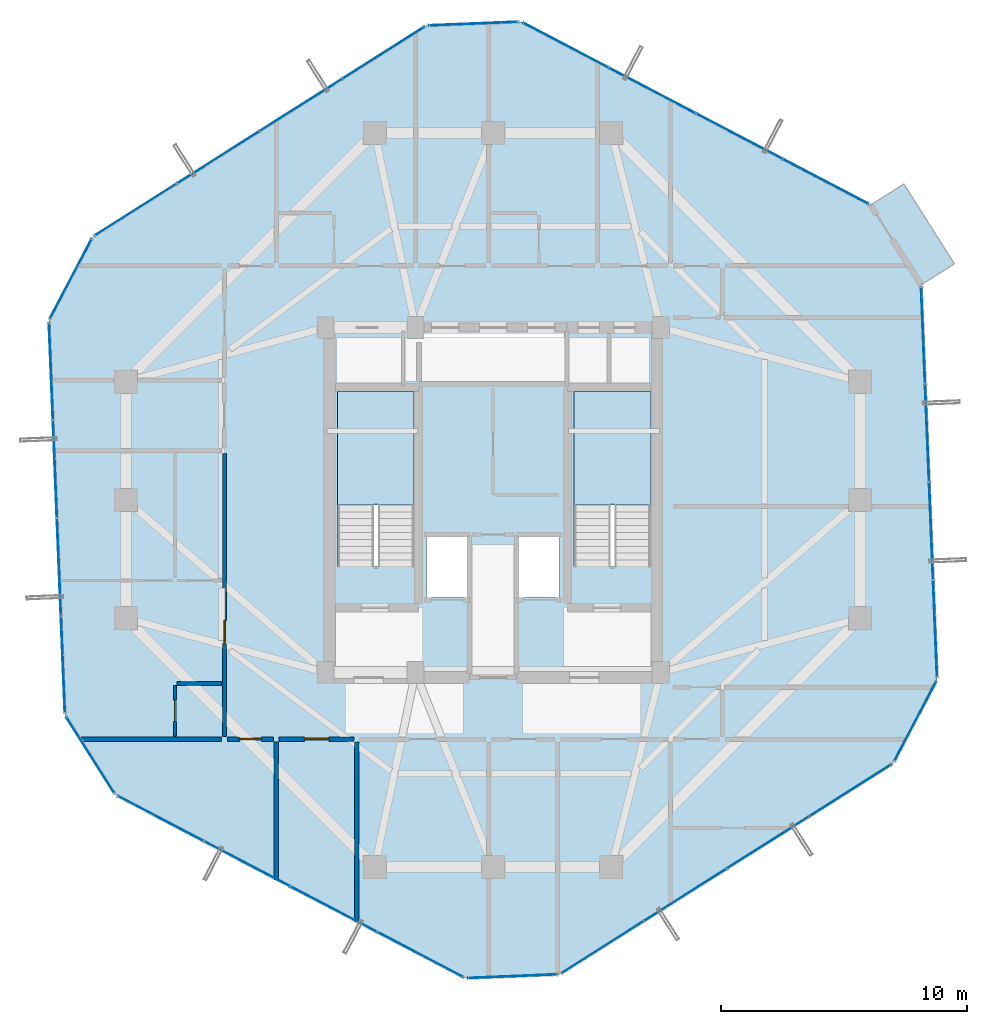
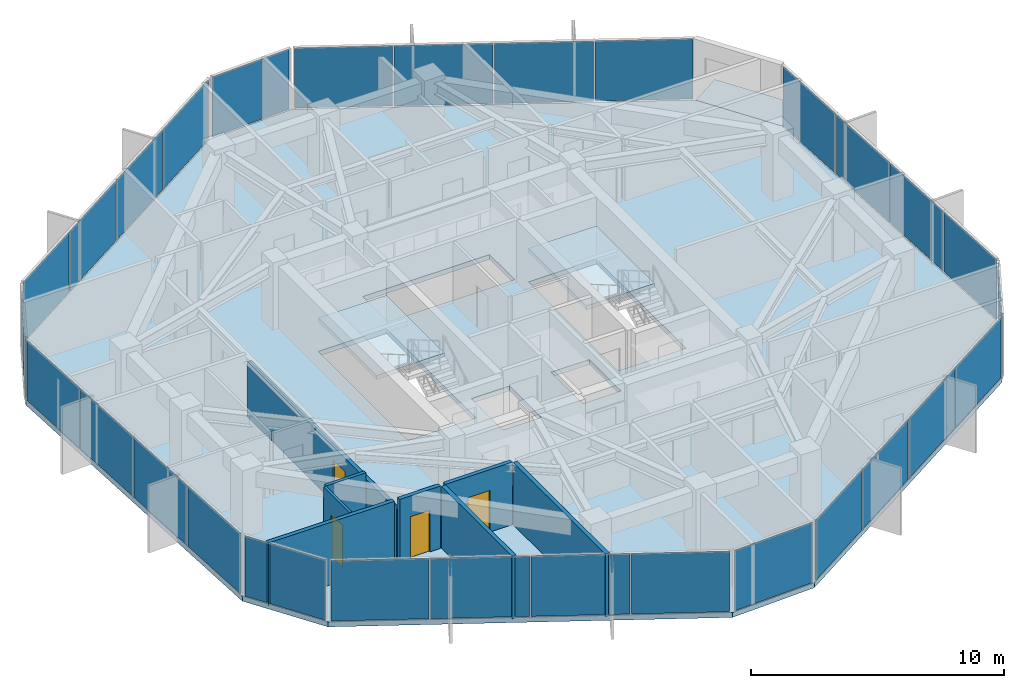
# One storey, part 28 of 33: 29 plates, 8 walls, 4 doors, 4 slabs, 4 openings, 13 elements without a shape of their own.
"""IFC4 building model written with IfcOpenShell, lengths in metres."""

from ifc_helpers import new_model, si_unit, direction, frame, frame_2d, origin, origin_2d, place, context, subcontext, project, spatial, polyline, rectangle, outline, extrude, source, transform, mapped, material, layer, layer_set, type_object, element, fill, aggregate, save


model = new_model("IFC4")

# Units and contexts
model_context = context("Model", 3, precision=1e-05, world=origin(), true_north=direction((0.0, 1.0)))
body_context = subcontext(model_context, "Body", "Model", "MODEL_VIEW")
ifc_project = project(units=[si_unit("LENGTHUNIT", "METRE"), si_unit("AREAUNIT", "SQUARE_METRE"), si_unit("VOLUMEUNIT", "CUBIC_METRE"), si_unit("PLANEANGLEUNIT", "RADIAN"), si_unit("MASSUNIT", "GRAM", prefix="KILO")], contexts=[model_context])

# Site, building, storey
site_placement = place(None, origin())
site = spatial("IfcSite", under=ifc_project, at=site_placement, CompositionType="ELEMENT")
building_placement = place(site_placement, origin())
building = spatial("IfcBuilding", under=site, at=building_placement, Name="Veraguas Prism Commons", CompositionType="ELEMENT")
storey_placement = place(building_placement, frame((0.0, 0.0, 198.35009765625)))
storey = spatial("IfcBuildingStorey", under=building, at=storey_placement, Name="L56", CompositionType="ELEMENT", Elevation=198.35009765625)

# Stair, slab
ifc_material_1 = material(Name="Precast concrete C45/55", Category="concrete")
stair_type = type_object("IfcStairType", Name="Dogleg Core Stair 1480W 20R 05", PredefinedType="HALF_TURN_STAIR", material=ifc_material_1)
stair_1_placement = place(storey_placement, origin())
stair_1 = element("IfcStair", 1, at=stair_1_placement, inside=storey, type_object=stair_type, Name="Protected Exit Stair ST-01 L56", PredefinedType="HALF_TURN_STAIR")
ifc_layer_1 = layer(ifc_material_1, 0.199951171875, Name="Precast Stair and Ramp Landing Slab 200", Category="concrete")
ifc_layer_set_1 = layer_set([ifc_layer_1], Name="Precast concrete C45/55")
slab_type_1 = type_object("IfcSlabType", Name="Precast Stair and Ramp Landing Slab 200", PredefinedType="LANDING", material=ifc_layer_set_1)
slab_1_placement = place(storey_placement, frame((0.0, 0.0, 1.4248046875)))
slab_1 = element("IfcSlab", 2, at=slab_1_placement, type_object=slab_type_1, Name="ST-05 Landing 1", PredefinedType="LANDING", context=body_context, shape_type="SweptSolid", body=[
    extrude(outline(polyline([(20.800048828125, 23.800048828125), (20.800048828125, 28.39990234375), (17.68994140625, 28.39990234375), (17.68994140625, 23.800048828125), (20.800048828125, 23.800048828125)])), origin(), (0.0, 0.0, 1.0), 0.2001953125),
])
aggregate(stair_1, [slab_1])

stair_2_placement = place(storey_placement, origin())
stair_2 = element("IfcStair", 3, at=stair_2_placement, inside=storey, type_object=stair_type, Name="Protected Exit Stair ST-02 L56", PredefinedType="HALF_TURN_STAIR")
slab_2_placement = place(storey_placement, frame((0.0, 0.0, 1.4248046875)))
slab_2 = element("IfcSlab", 4, at=slab_2_placement, type_object=slab_type_1, Name="ST-05 Landing 1", PredefinedType="LANDING", context=body_context, shape_type="SweptSolid", body=[
    extrude(outline(polyline([(30.39990234375, 23.800048828125), (30.39990234375, 28.39990234375), (27.2900390625, 28.39990234375), (27.2900390625, 23.800048828125), (30.39990234375, 23.800048828125)])), origin(), (0.0, 0.0, 1.0), 0.2001953125),
])
aggregate(stair_2, [slab_2])

# Slabs
ifc_material_2 = material(Name="Concrete C45/55", Category="concrete")
ifc_layer_2 = layer(ifc_material_2, 0.219970703125, Name="Recessed Loggia and Terrace Slab RC 220", Category="concrete")
ifc_layer_set_2 = layer_set([ifc_layer_2], Name="Concrete C45/55")
slab_type_2 = type_object("IfcSlabType", Name="Recessed Loggia and Terrace Slab RC 220", PredefinedType="FLOOR", material=ifc_layer_set_2)
slab_3_placement = place(storey_placement, frame((0.0, 0.0, -0.22021484375)))
element("IfcSlab", 5, at=slab_3_placement, inside=storey, type_object=slab_type_2, Name="Recessed Corner Loggia L56-C1", PredefinedType="FLOOR", context=body_context, shape_type="SweptSolid", body=[
    extrude(outline(polyline([(41.3515625, 32.716796875), (42.72021484375, 33.58349609375), (40.6689453125, 36.8232421875), (39.30029296875, 35.95654296875), (41.3515625, 32.716796875)])), origin(), (0.0, 0.0, 1.0), 0.22021484375),
])
ifc_layer_3 = layer(ifc_material_2, 0.235107421875, Name="Tower Upper Residential Floor Slab RC 235", Category="concrete")
ifc_layer_set_3 = layer_set([ifc_layer_3], Name="Concrete C45/55")
slab_type_3 = type_object("IfcSlabType", Name="Tower Upper Residential Floor Slab RC 235", PredefinedType="FLOOR", material=ifc_layer_set_3)
slab_4_placement = place(storey_placement, frame((0.0, 0.0, -0.235107421875)))
element("IfcSlab", 6, at=slab_4_placement, inside=storey, type_object=slab_type_3, Name="Tower Floor Slab L56", PredefinedType="FLOOR", context=body_context, shape_type="SweptSolid", body=[
    extrude(outline(polyline([(41.368408203125, 32.7275390625), (39.317138671875, 35.96728515625), (25.125732421875, 43.4052734375), (21.294677734375, 43.248779296875), (7.757568359375, 34.677490234375), (5.9775390625, 31.281494140625), (6.631591796875, 15.2724609375), (8.682861328125, 12.03271484375), (22.874267578125, 4.5947265625), (26.705322265625, 4.751220703125), (40.242431640625, 13.322509765625), (42.0224609375, 16.718505859375), (41.368408203125, 32.7275390625)]), holes=[polyline([(20.800048828125, 21.31005859375), (20.800048828125, 28.39990234375), (17.68994140625, 28.39990234375), (17.68994140625, 21.31005859375), (20.800048828125, 21.31005859375)]), polyline([(30.39990234375, 21.31005859375), (30.39990234375, 28.39990234375), (27.2900390625, 28.39990234375), (27.2900390625, 21.31005859375), (30.39990234375, 21.31005859375)]), polyline([(21.10009765625, 28.800048828125), (26.89990234375, 28.800048828125), (26.89990234375, 30.800048828125), (21.10009765625, 30.800048828125), (21.10009765625, 28.800048828125)]), polyline([(21.300048828125, 20.050048828125), (23.050048828125, 20.050048828125), (23.050048828125, 22.550048828125), (21.300048828125, 22.550048828125), (21.300048828125, 20.050048828125)]), polyline([(24.949951171875, 20.050048828125), (26.699951171875, 20.050048828125), (26.699951171875, 22.550048828125), (24.949951171875, 22.550048828125), (24.949951171875, 20.050048828125)])]), origin(), (0.0, 0.0, 1.0), 0.235107421875),
])

# Curtain wall, plates
ifc_material_3 = material(Name="Anodised aluminium EN AW-6063 T6", Category="aluminium")
ifc_layer_4 = layer(ifc_material_3, 0.14990234375, Name="Unitised Flush Curtain Wall Zone 3", Category="aluminium")
ifc_layer_set_4 = layer_set([ifc_layer_4], Name="Anodised aluminium EN AW-6063 T6")
curtain_wall_type = type_object("IfcCurtainWallType", Name="Unitised Flush Curtain Wall Zone 3", PredefinedType="NOTDEFINED", material=ifc_layer_set_4)
curtain_wall_1_placement = place(storey_placement, origin())
curtain_wall_1 = element("IfcCurtainWall", 7, at=curtain_wall_1_placement, inside=storey, type_object=curtain_wall_type, Name="Tower Facade Curtain Wall L56-F2", PredefinedType="NOTDEFINED")
ifc_material_4 = material(Name="Laminated low-e glass", Category="glass")
ifc_layer_5 = layer(ifc_material_4, 0.028076171875, Name="Unitised Double Low-E Glazed Panel 28", Category="glass")
ifc_layer_set_5 = layer_set([ifc_layer_5], Name="Laminated low-e glass")
plate_type = type_object("IfcPlateType", Name="Unitised Double Low-E Glazed Panel 28", PredefinedType="CURTAIN_PANEL", material=ifc_layer_set_5)
shared_shape_1 = source(origin(), body_context, "Body", "SweptSolid", [
    extrude(rectangle(XDim=3.885498046875, YDim=0.028076171875, at=origin_2d()), origin(), (0.0, 0.0, 1.0), 2.905029296875),
])
plate_1_placement = place(storey_placement, frame((19.5517578125, 42.145263671875, 0.0546875), z_axis=(0.0, 0.0, 1.0), x_axis=(-0.844886711646, -0.534945272419, 0.0)))
plate_1 = element("IfcPlate", 8, at=plate_1_placement, type_object=plate_type, Name="CW-Z3 Panel 1.1", PredefinedType="CURTAIN_PANEL", context=body_context, shape_type="MappedRepresentation", body=[
    mapped(shared_shape_1, transform((0.0, 0.0, 0.0), scale=1.0)),
])
plate_2_placement = place(storey_placement, frame((9.500244140625, 35.781005859375, 0.0546875), z_axis=(0.0, 0.0, 1.0), x_axis=(-0.844886711646, -0.534945272419, 0.0)))
plate_2 = element("IfcPlate", 9, at=plate_2_placement, type_object=plate_type, Name="CW-Z3 Panel 4.1", PredefinedType="CURTAIN_PANEL", context=body_context, shape_type="MappedRepresentation", body=[
    mapped(shared_shape_1, transform((0.0, 0.0, 0.0), scale=1.0)),
])

curtain_wall_2_placement = place(storey_placement, origin())
curtain_wall_2 = element("IfcCurtainWall", 10, at=curtain_wall_2_placement, inside=storey, type_object=curtain_wall_type, Name="Tower Facade Curtain Wall L56-F3", PredefinedType="NOTDEFINED")
plate_3_placement = place(storey_placement, frame((6.061767578125, 29.220458984375, 0.0546875), z_axis=(0.0, 0.0, 1.0), x_axis=(0.040829351979, -0.999166134343, 0.0)))
plate_3 = element("IfcPlate", 11, at=plate_3_placement, type_object=plate_type, Name="CW-Z3 Panel 1.1", PredefinedType="CURTAIN_PANEL", context=body_context, shape_type="MappedRepresentation", body=[
    mapped(shared_shape_1, transform((0.0, 0.0, 0.0), scale=1.0)),
])
plate_4_placement = place(storey_placement, frame((6.54736328125, 17.33349609375, 0.0546875), z_axis=(0.0, 0.0, 1.0), x_axis=(0.040829351979, -0.999166134343, 0.0)))
plate_4 = element("IfcPlate", 12, at=plate_4_placement, type_object=plate_type, Name="CW-Z3 Panel 4.1", PredefinedType="CURTAIN_PANEL", context=body_context, shape_type="MappedRepresentation", body=[
    mapped(shared_shape_1, transform((0.0, 0.0, 0.0), scale=1.0)),
])

curtain_wall_3_placement = place(storey_placement, origin())
curtain_wall_3 = element("IfcCurtainWall", 13, at=curtain_wall_3_placement, inside=storey, type_object=curtain_wall_type, Name="Tower Facade Curtain Wall L56-F5", PredefinedType="NOTDEFINED")
plate_5_placement = place(storey_placement, frame((28.4482421875, 5.854736328125, 0.0546875), z_axis=(0.0, 0.0, 1.0), x_axis=(0.844886711646, 0.534945272419, 0.0)))
plate_5 = element("IfcPlate", 14, at=plate_5_placement, type_object=plate_type, Name="CW-Z3 Panel 1.1", PredefinedType="CURTAIN_PANEL", context=body_context, shape_type="MappedRepresentation", body=[
    mapped(shared_shape_1, transform((0.0, 0.0, 0.0), scale=1.0)),
])
plate_6_placement = place(storey_placement, frame((38.499755859375, 12.218994140625, 0.0546875), z_axis=(0.0, 0.0, 1.0), x_axis=(0.844886711646, 0.534945272419, 0.0)))
plate_6 = element("IfcPlate", 15, at=plate_6_placement, type_object=plate_type, Name="CW-Z3 Panel 4.1", PredefinedType="CURTAIN_PANEL", context=body_context, shape_type="MappedRepresentation", body=[
    mapped(shared_shape_1, transform((0.0, 0.0, 0.0), scale=1.0)),
])

curtain_wall_4_placement = place(storey_placement, origin())
curtain_wall_4 = element("IfcCurtainWall", 16, at=curtain_wall_4_placement, inside=storey, type_object=curtain_wall_type, Name="Tower Facade Curtain Wall L56-F6", PredefinedType="NOTDEFINED")
plate_7_placement = place(storey_placement, frame((41.938232421875, 18.779541015625, 0.0546875), z_axis=(0.0, 0.0, 1.0), x_axis=(-0.040829351979, 0.999166134343, 0.0)))
plate_7 = element("IfcPlate", 17, at=plate_7_placement, type_object=plate_type, Name="CW-Z3 Panel 1.1", PredefinedType="CURTAIN_PANEL", context=body_context, shape_type="MappedRepresentation", body=[
    mapped(shared_shape_1, transform((0.0, 0.0, 0.0), scale=1.0)),
])
plate_8_placement = place(storey_placement, frame((41.45263671875, 30.66650390625, 0.0546875), z_axis=(0.0, 0.0, 1.0), x_axis=(-0.040829351979, 0.999166134343, 0.0)))
plate_8 = element("IfcPlate", 18, at=plate_8_placement, type_object=plate_type, Name="CW-Z3 Panel 4.1", PredefinedType="CURTAIN_PANEL", context=body_context, shape_type="MappedRepresentation", body=[
    mapped(shared_shape_1, transform((0.0, 0.0, 0.0), scale=1.0)),
])

curtain_wall_5_placement = place(storey_placement, origin())
curtain_wall_5 = element("IfcCurtainWall", 19, at=curtain_wall_5_placement, inside=storey, type_object=curtain_wall_type, Name="Tower Facade Curtain Wall L56-F1", PredefinedType="NOTDEFINED")
shared_shape_2 = source(origin(), body_context, "Body", "SweptSolid", [
    extrude(rectangle(XDim=3.91552734375, YDim=0.028076171875, at=origin_2d()), origin(), (0.0, 0.0, 1.0), 2.905029296875),
])
plate_9_placement = place(storey_placement, frame((33.982177734375, 38.763427734375, 0.0546875), z_axis=(0.0, 0.0, 1.0), x_axis=(-0.885721982014, 0.464216081773, 0.0)))
plate_9 = element("IfcPlate", 20, at=plate_9_placement, type_object=plate_type, Name="CW-Z3 Panel 2.1", PredefinedType="CURTAIN_PANEL", context=body_context, shape_type="MappedRepresentation", body=[
    mapped(shared_shape_2, transform((0.0, 0.0, 0.0), scale=1.0)),
])
plate_10_placement = place(storey_placement, frame((30.4609375, 40.609130859375, 0.0546875), z_axis=(0.0, 0.0, 1.0), x_axis=(-0.885721982014, 0.464216081773, 0.0)))
plate_10 = element("IfcPlate", 21, at=plate_10_placement, type_object=plate_type, Name="CW-Z3 Panel 3.1", PredefinedType="CURTAIN_PANEL", context=body_context, shape_type="MappedRepresentation", body=[
    mapped(shared_shape_2, transform((0.0, 0.0, 0.0), scale=1.0)),
])

# Plate
plate_11_placement = place(storey_placement, frame((16.20556640625, 40.026611328125, 0.0546875), z_axis=(0.0, 0.0, 1.0), x_axis=(-0.844886711646, -0.534945272419, 0.0)))
plate_11 = element("IfcPlate", 22, at=plate_11_placement, type_object=plate_type, Name="CW-Z3 Panel 2.1", PredefinedType="CURTAIN_PANEL", context=body_context, shape_type="MappedRepresentation", body=[
    mapped(shared_shape_2, transform((0.0, 0.0, 0.0), scale=1.0)),
])

plate_12_placement = place(storey_placement, frame((12.8466796875, 37.89990234375, 0.0546875), z_axis=(0.0, 0.0, 1.0), x_axis=(-0.844886711646, -0.534945272419, 0.0)))
plate_12 = element("IfcPlate", 23, at=plate_12_placement, type_object=plate_type, Name="CW-Z3 Panel 3.1", PredefinedType="CURTAIN_PANEL", context=body_context, shape_type="MappedRepresentation", body=[
    mapped(shared_shape_2, transform((0.0, 0.0, 0.0), scale=1.0)),
])

aggregate(curtain_wall_1, [plate_1, plate_11, plate_12, plate_2])

plate_13_placement = place(storey_placement, frame((6.223388671875, 25.262939453125, 0.0546875), z_axis=(0.0, 0.0, 1.0), x_axis=(0.040829351979, -0.999166134343, 0.0)))
plate_13 = element("IfcPlate", 24, at=plate_13_placement, type_object=plate_type, Name="CW-Z3 Panel 2.1", PredefinedType="CURTAIN_PANEL", context=body_context, shape_type="MappedRepresentation", body=[
    mapped(shared_shape_2, transform((0.0, 0.0, 0.0), scale=1.0)),
])

plate_14_placement = place(storey_placement, frame((6.3857421875, 21.290771484375, 0.0546875), z_axis=(0.0, 0.0, 1.0), x_axis=(0.040829351979, -0.999166134343, 0.0)))
plate_14 = element("IfcPlate", 25, at=plate_14_placement, type_object=plate_type, Name="CW-Z3 Panel 3.1", PredefinedType="CURTAIN_PANEL", context=body_context, shape_type="MappedRepresentation", body=[
    mapped(shared_shape_2, transform((0.0, 0.0, 0.0), scale=1.0)),
])

aggregate(curtain_wall_2, [plate_3, plate_13, plate_14, plate_4])

# Curtain wall, plates
curtain_wall_6_placement = place(storey_placement, origin())
curtain_wall_6 = element("IfcCurtainWall", 26, at=curtain_wall_6_placement, inside=storey, type_object=curtain_wall_type, Name="Tower Facade Curtain Wall L56-F4", PredefinedType="NOTDEFINED")
plate_15_placement = place(storey_placement, frame((14.017822265625, 9.236572265625, 0.0546875), z_axis=(0.0, 0.0, 1.0), x_axis=(0.885721982014, -0.464216081773, 0.0)))
plate_15 = element("IfcPlate", 27, at=plate_15_placement, type_object=plate_type, Name="CW-Z3 Panel 2.1", PredefinedType="CURTAIN_PANEL", context=body_context, shape_type="MappedRepresentation", body=[
    mapped(shared_shape_2, transform((0.0, 0.0, 0.0), scale=1.0)),
])
plate_16_placement = place(storey_placement, frame((17.5390625, 7.390869140625, 0.0546875), z_axis=(0.0, 0.0, 1.0), x_axis=(0.885721982014, -0.464216081773, 0.0)))
plate_16 = element("IfcPlate", 28, at=plate_16_placement, type_object=plate_type, Name="CW-Z3 Panel 3.1", PredefinedType="CURTAIN_PANEL", context=body_context, shape_type="MappedRepresentation", body=[
    mapped(shared_shape_2, transform((0.0, 0.0, 0.0), scale=1.0)),
])

# Plate
plate_17_placement = place(storey_placement, frame((31.79443359375, 7.973388671875, 0.0546875), z_axis=(0.0, 0.0, 1.0), x_axis=(0.844886711646, 0.534945272419, 0.0)))
plate_17 = element("IfcPlate", 29, at=plate_17_placement, type_object=plate_type, Name="CW-Z3 Panel 2.1", PredefinedType="CURTAIN_PANEL", context=body_context, shape_type="MappedRepresentation", body=[
    mapped(shared_shape_2, transform((0.0, 0.0, 0.0), scale=1.0)),
])

plate_18_placement = place(storey_placement, frame((35.1533203125, 10.10009765625, 0.0546875), z_axis=(0.0, 0.0, 1.0), x_axis=(0.844886711646, 0.534945272419, 0.0)))
plate_18 = element("IfcPlate", 30, at=plate_18_placement, type_object=plate_type, Name="CW-Z3 Panel 3.1", PredefinedType="CURTAIN_PANEL", context=body_context, shape_type="MappedRepresentation", body=[
    mapped(shared_shape_2, transform((0.0, 0.0, 0.0), scale=1.0)),
])

aggregate(curtain_wall_3, [plate_5, plate_17, plate_18, plate_6])

plate_19_placement = place(storey_placement, frame((41.776611328125, 22.737060546875, 0.0546875), z_axis=(0.0, 0.0, 1.0), x_axis=(-0.040829351979, 0.999166134343, 0.0)))
plate_19 = element("IfcPlate", 31, at=plate_19_placement, type_object=plate_type, Name="CW-Z3 Panel 2.1", PredefinedType="CURTAIN_PANEL", context=body_context, shape_type="MappedRepresentation", body=[
    mapped(shared_shape_2, transform((0.0, 0.0, 0.0), scale=1.0)),
])

plate_20_placement = place(storey_placement, frame((41.6142578125, 26.709228515625, 0.0546875), z_axis=(0.0, 0.0, 1.0), x_axis=(-0.040829351979, 0.999166134343, 0.0)))
plate_20 = element("IfcPlate", 32, at=plate_20_placement, type_object=plate_type, Name="CW-Z3 Panel 3.1", PredefinedType="CURTAIN_PANEL", context=body_context, shape_type="MappedRepresentation", body=[
    mapped(shared_shape_2, transform((0.0, 0.0, 0.0), scale=1.0)),
])

aggregate(curtain_wall_4, [plate_7, plate_19, plate_20, plate_8])

shared_shape_3 = source(origin(), body_context, "Body", "SweptSolid", [
    extrude(rectangle(XDim=3.8857421875, YDim=0.028076171875, at=origin_2d()), origin(), (0.0, 0.0, 1.0), 2.905029296875),
])
plate_21_placement = place(storey_placement, frame((37.490234375, 36.925048828125, 0.0546875), z_axis=(0.0, 0.0, 1.0), x_axis=(-0.885721982014, 0.464216081773, 0.0)))
plate_21 = element("IfcPlate", 33, at=plate_21_placement, type_object=plate_type, Name="CW-Z3 Panel 1.1", PredefinedType="CURTAIN_PANEL", context=body_context, shape_type="MappedRepresentation", body=[
    mapped(shared_shape_3, transform((0.0, 0.0, 0.0), scale=1.0)),
])

plate_22_placement = place(storey_placement, frame((26.952880859375, 42.44775390625, 0.0546875), z_axis=(0.0, 0.0, 1.0), x_axis=(-0.885721982014, 0.464216081773, 0.0)))
plate_22 = element("IfcPlate", 34, at=plate_22_placement, type_object=plate_type, Name="CW-Z3 Panel 4.1", PredefinedType="CURTAIN_PANEL", context=body_context, shape_type="MappedRepresentation", body=[
    mapped(shared_shape_3, transform((0.0, 0.0, 0.0), scale=1.0)),
])

aggregate(curtain_wall_5, [plate_21, plate_9, plate_10, plate_22])

plate_23_placement = place(storey_placement, frame((10.509765625, 11.074951171875, 0.0546875), z_axis=(0.0, 0.0, 1.0), x_axis=(0.885721982014, -0.464216081773, 0.0)))
plate_23 = element("IfcPlate", 35, at=plate_23_placement, type_object=plate_type, Name="CW-Z3 Panel 1.1", PredefinedType="CURTAIN_PANEL", context=body_context, shape_type="MappedRepresentation", body=[
    mapped(shared_shape_3, transform((0.0, 0.0, 0.0), scale=1.0)),
])

plate_24_placement = place(storey_placement, frame((21.047119140625, 5.55224609375, 0.0546875), z_axis=(0.0, 0.0, 1.0), x_axis=(0.885721982014, -0.464216081773, 0.0)))
plate_24 = element("IfcPlate", 36, at=plate_24_placement, type_object=plate_type, Name="CW-Z3 Panel 4.1", PredefinedType="CURTAIN_PANEL", context=body_context, shape_type="MappedRepresentation", body=[
    mapped(shared_shape_3, transform((0.0, 0.0, 0.0), scale=1.0)),
])

aggregate(curtain_wall_6, [plate_23, plate_15, plate_16, plate_24])

# Curtain wall, plate
curtain_wall_7_placement = place(storey_placement, origin())
curtain_wall_7 = element("IfcCurtainWall", 37, at=curtain_wall_7_placement, inside=storey, type_object=curtain_wall_type, Name="Chamfer Curtain Wall L56-C2", PredefinedType="NOTDEFINED")
shared_shape_4 = source(origin(), body_context, "Body", "SweptSolid", [
    extrude(rectangle(XDim=3.594482421875, YDim=0.028076171875, at=origin_2d()), origin(), (0.0, 0.0, 1.0), 2.905029296875),
])
plate_25_placement = place(storey_placement, frame((23.210205078125, 43.326904296875, 0.0546875), z_axis=(0.0, 0.0, 1.0), x_axis=(-0.999166775565, -0.040813657109, 0.0)))
plate_25 = element("IfcPlate", 38, at=plate_25_placement, type_object=plate_type, Name="CW-Z3 Panel 1.1", PredefinedType="CURTAIN_PANEL", context=body_context, shape_type="MappedRepresentation", body=[
    mapped(shared_shape_4, transform((0.0, 0.0, 0.0), scale=1.0)),
])
aggregate(curtain_wall_7, [plate_25])

curtain_wall_8_placement = place(storey_placement, origin())
curtain_wall_8 = element("IfcCurtainWall", 39, at=curtain_wall_8_placement, inside=storey, type_object=curtain_wall_type, Name="Chamfer Curtain Wall L56-C3", PredefinedType="NOTDEFINED")
plate_26_placement = place(storey_placement, frame((6.867431640625, 32.9794921875, 0.0546875), z_axis=(0.0, 0.0, 1.0), x_axis=(-0.464189801669, -0.885735755193, 0.0)))
plate_26 = element("IfcPlate", 40, at=plate_26_placement, type_object=plate_type, Name="CW-Z3 Panel 1.1", PredefinedType="CURTAIN_PANEL", context=body_context, shape_type="MappedRepresentation", body=[
    mapped(shared_shape_4, transform((0.0, 0.0, 0.0), scale=1.0)),
])
aggregate(curtain_wall_8, [plate_26])

curtain_wall_9_placement = place(storey_placement, origin())
curtain_wall_9 = element("IfcCurtainWall", 41, at=curtain_wall_9_placement, inside=storey, type_object=curtain_wall_type, Name="Chamfer Curtain Wall L56-C4", PredefinedType="NOTDEFINED")
plate_27_placement = place(storey_placement, frame((7.6572265625, 13.652587890625, 0.0546875), z_axis=(0.0, 0.0, 1.0), x_axis=(0.534939373984, -0.844890446248, 0.0)))
plate_27 = element("IfcPlate", 42, at=plate_27_placement, type_object=plate_type, Name="CW-Z3 Panel 1.1", PredefinedType="CURTAIN_PANEL", context=body_context, shape_type="MappedRepresentation", body=[
    mapped(shared_shape_4, transform((0.0, 0.0, 0.0), scale=1.0)),
])
aggregate(curtain_wall_9, [plate_27])

curtain_wall_10_placement = place(storey_placement, origin())
curtain_wall_10 = element("IfcCurtainWall", 43, at=curtain_wall_10_placement, inside=storey, type_object=curtain_wall_type, Name="Chamfer Curtain Wall L56-C5", PredefinedType="NOTDEFINED")
plate_28_placement = place(storey_placement, frame((24.789794921875, 4.673095703125, 0.0546875), z_axis=(0.0, 0.0, 1.0), x_axis=(0.999166775565, 0.040813657109, 0.0)))
plate_28 = element("IfcPlate", 44, at=plate_28_placement, type_object=plate_type, Name="CW-Z3 Panel 1.1", PredefinedType="CURTAIN_PANEL", context=body_context, shape_type="MappedRepresentation", body=[
    mapped(shared_shape_4, transform((0.0, 0.0, 0.0), scale=1.0)),
])
aggregate(curtain_wall_10, [plate_28])

curtain_wall_11_placement = place(storey_placement, origin())
curtain_wall_11 = element("IfcCurtainWall", 45, at=curtain_wall_11_placement, inside=storey, type_object=curtain_wall_type, Name="Chamfer Curtain Wall L56-C6", PredefinedType="NOTDEFINED")
plate_29_placement = place(storey_placement, frame((41.132568359375, 15.0205078125, 0.0546875), z_axis=(0.0, 0.0, 1.0), x_axis=(0.464189801669, 0.885735755193, 0.0)))
plate_29 = element("IfcPlate", 46, at=plate_29_placement, type_object=plate_type, Name="CW-Z3 Panel 1.1", PredefinedType="CURTAIN_PANEL", context=body_context, shape_type="MappedRepresentation", body=[
    mapped(shared_shape_4, transform((0.0, 0.0, 0.0), scale=1.0)),
])
aggregate(curtain_wall_11, [plate_29])

# Wall
ifc_material_5 = material(Name="Autoclaved aerated masonry block 10 MPa", Category="masonry")
ifc_layer_6 = layer(ifc_material_5, 0.179931640625, Name="Corridor and Inter-Tenancy Partition 180", Category="masonry")
ifc_layer_set_6 = layer_set([ifc_layer_6], Name="Autoclaved aerated masonry block 10 MPa")
wall_type_1 = type_object("IfcWallType", Name="Corridor and Inter-Tenancy Partition 180", PredefinedType="PARTITIONING", material=ifc_layer_set_6)
wall_1_placement = place(storey_placement, frame((15.199951171875, 14.179931640625, 0.0), z_axis=(0.0, 0.0, 1.0), x_axis=(0.0, -1.0, 0.0)))
element("IfcWall", 47, at=wall_1_placement, inside=storey, type_object=wall_type_1, Name="WL-L56-PT001", PredefinedType="PARTITIONING", context=body_context, shape_type="SweptSolid", body=[
    extrude(rectangle(XDim=5.596923828125, YDim=0.179931640625, at=frame_2d((2.79833984375, 0.0))), origin(), (0.0, 0.0, 1.0), 3.014892578125),
])

# Wall, opening, door
wall_2_placement = place(storey_placement, frame((15.31005859375, 14.300048828125, 0.0), z_axis=(0.0, 0.0, 1.0), x_axis=(1.0, 0.0, 0.0)))
wall_2 = element("IfcWall", 48, at=wall_2_placement, inside=storey, type_object=wall_type_1, Name="WL-L56-PT003", PredefinedType="PARTITIONING", context=body_context, shape_type="SweptSolid", body=[
    extrude(rectangle(XDim=3.055908203125, YDim=0.179931640625, at=frame_2d((1.52783203125, 0.0))), origin(), (0.0, 0.0, 1.0), 3.014892578125),
])
opening_1_placement = place(wall_2_placement, frame((1.028076171875, 0.0, 0.0)))
opening_1 = element("IfcOpeningElement", 49, at=opening_1_placement, cuts=wall_2, Name="Opening DR-13", PredefinedType="OPENING", context=body_context, shape_type="SweptSolid", body=[
    extrude(rectangle(XDim=1.0, YDim=2.010009765625, at=frame_2d((0.5, 1.0048828125))), frame((0.0, 0.099853515625, 0.0), z_axis=(0.0, -1.0, 0.0), x_axis=(1.0, 0.0, 0.0)), (0.0, 0.0, 1.0), 0.199951171875),
])
ifc_material_6 = material(Name="Steel fire-rated door assembly", Category="steel")
door_type_1 = type_object("IfcDoorType", Name="Core Accessible WC and Clinic Fire Door 1000x2010", OperationType="NOTDEFINED", PredefinedType="DOOR", material=ifc_material_6)
shared_shape_5 = source(origin(), body_context, "Body", "SweptSolid", [
    extrude(rectangle(XDim=1.0, YDim=2.010009765625, at=frame_2d((0.5, 1.0048828125))), frame((0.0, 0.02490234375, 0.0), z_axis=(0.0, -1.0, 0.0), x_axis=(1.0, 0.0, 0.0)), (0.0, 0.0, 1.0), 0.050048828125),
])
door_1_placement = place(opening_1_placement, origin())
door_1 = element("IfcDoor", 50, at=door_1_placement, inside=storey, type_object=door_type_1, Name="Community Co-op Kitchen Door", OperationType="SINGLE_SWING_RIGHT", OverallHeight=2.010009765625, OverallWidth=1.0, PredefinedType="DOOR", context=body_context, shape_type="MappedRepresentation", body=[
    mapped(shared_shape_5, transform((0.0, 0.0, 0.0), scale=1.0)),
])
fill(opening_1, door_1)

# Walls
wall_3_placement = place(storey_placement, frame((18.47607421875, 14.179931640625, 0.0), z_axis=(0.0, 0.0, 1.0), x_axis=(0.0, -1.0, 0.0)))
element("IfcWall", 51, at=wall_3_placement, inside=storey, type_object=wall_type_1, Name="WL-L56-PT005", PredefinedType="PARTITIONING", context=body_context, shape_type="SweptSolid", body=[
    extrude(rectangle(XDim=7.31396484375, YDim=0.179931640625, at=frame_2d((3.656982421875, 0.0))), origin(), (0.0, 0.0, 1.0), 3.014892578125),
])
wall_4_placement = place(storey_placement, frame((12.97998046875, 14.300048828125, 0.0), z_axis=(0.0, 0.0, 1.0), x_axis=(-1.0, 0.0, 0.0)))
element("IfcWall", 52, at=wall_4_placement, inside=storey, type_object=wall_type_1, Name="WL-L56-PT023", PredefinedType="PARTITIONING", context=body_context, shape_type="SweptSolid", body=[
    extrude(rectangle(XDim=5.76806640625, YDim=0.179931640625, at=frame_2d((2.884033203125, 0.0))), origin(), (0.0, 0.0, 1.0), 3.014892578125),
])

# Wall, opening, door
wall_5_placement = place(storey_placement, frame((13.10009765625, 14.409912109375, 0.0), z_axis=(0.0, 0.0, 1.0), x_axis=(0.0, 1.0, 0.0)))
wall_5 = element("IfcWall", 53, at=wall_5_placement, inside=storey, type_object=wall_type_1, Name="WL-L56-PT025", PredefinedType="PARTITIONING", context=body_context, shape_type="SweptSolid", body=[
    extrude(rectangle(XDim=11.484130859375, YDim=0.179931640625, at=frame_2d((5.7421875, 0.0))), origin(), (0.0, 0.0, 1.0), 2.661865234375),
])
opening_2_placement = place(wall_5_placement, frame((3.758544921875, 0.0, 0.0)))
opening_2 = element("IfcOpeningElement", 54, at=opening_2_placement, cuts=wall_5, Name="Opening DR-01", PredefinedType="OPENING", context=body_context, shape_type="SweptSolid", body=[
    extrude(rectangle(XDim=0.949951171875, YDim=2.02001953125, at=frame_2d((0.47509765625, 1.010009765625))), frame((0.0, 0.099853515625, 0.0), z_axis=(0.0, -1.0, 0.0), x_axis=(1.0, 0.0, 0.0)), (0.0, 0.0, 1.0), 0.199951171875),
])
door_type_2 = type_object("IfcDoorType", Name="Apartment Entrance Fire Door 950x2020", OperationType="NOTDEFINED", PredefinedType="DOOR", material=ifc_material_3)
shared_shape_6 = source(origin(), body_context, "Body", "SweptSolid", [
    extrude(rectangle(XDim=0.949951171875, YDim=2.02001953125, at=frame_2d((0.47509765625, 1.010009765625))), frame((0.0, 0.02490234375, 0.0), z_axis=(0.0, -1.0, 0.0), x_axis=(1.0, 0.0, 0.0)), (0.0, 0.0, 1.0), 0.050048828125),
])
door_2_placement = place(opening_2_placement, origin())
door_2 = element("IfcDoor", 55, at=door_2_placement, inside=storey, type_object=door_type_2, Name="Flat 56C Entrance Door", OperationType="SINGLE_SWING_RIGHT", OverallHeight=2.02001953125, OverallWidth=0.949951171875, PredefinedType="DOOR", context=body_context, shape_type="MappedRepresentation", body=[
    mapped(shared_shape_6, transform((0.0, 0.0, 0.0), scale=1.0)),
])
fill(opening_2, door_2)

wall_6_placement = place(storey_placement, frame((13.219970703125, 14.300048828125, 0.0), z_axis=(0.0, 0.0, 1.0), x_axis=(1.0, 0.0, 0.0)))
wall_6 = element("IfcWall", 56, at=wall_6_placement, inside=storey, type_object=wall_type_1, Name="WL-L56-PT042", PredefinedType="PARTITIONING", context=body_context, shape_type="SweptSolid", body=[
    extrude(rectangle(XDim=1.860107421875, YDim=0.179931640625, at=frame_2d((0.93017578125, 0.0))), origin(), (0.0, 0.0, 1.0), 3.014892578125),
])
opening_3_placement = place(wall_6_placement, frame((0.47998046875, 0.0, 0.0)))
opening_3 = element("IfcOpeningElement", 57, at=opening_3_placement, cuts=wall_6, Name="Opening DR-14", PredefinedType="OPENING", context=body_context, shape_type="SweptSolid", body=[
    extrude(rectangle(XDim=0.89990234375, YDim=2.010009765625, at=frame_2d((0.449951171875, 1.0048828125))), frame((0.0, 0.099853515625, 0.0), z_axis=(0.0, -1.0, 0.0), x_axis=(1.0, 0.0, 0.0)), (0.0, 0.0, 1.0), 0.199951171875),
])
door_type_3 = type_object("IfcDoorType", Name="Core Service Room Fire Door 900x2010", OperationType="NOTDEFINED", PredefinedType="DOOR", material=ifc_material_6)
shared_shape_7 = source(origin(), body_context, "Body", "SweptSolid", [
    extrude(rectangle(XDim=0.89990234375, YDim=2.010009765625, at=frame_2d((0.449951171875, 1.0048828125))), frame((0.0, 0.02490234375, 0.0), z_axis=(0.0, -1.0, 0.0), x_axis=(1.0, 0.0, 0.0)), (0.0, 0.0, 1.0), 0.050048828125),
])
door_3_placement = place(opening_3_placement, origin())
door_3 = element("IfcDoor", 58, at=door_3_placement, inside=storey, type_object=door_type_3, Name="Corner Study SW Door", OperationType="SINGLE_SWING_RIGHT", OverallHeight=2.010009765625, OverallWidth=0.89990234375, PredefinedType="DOOR", context=body_context, shape_type="MappedRepresentation", body=[
    mapped(shared_shape_7, transform((0.0, 0.0, 0.0), scale=1.0)),
])
fill(opening_3, door_3)

ifc_material_7 = material(Name="Lightweight acoustic gypsum board")
ifc_layer_7 = layer(ifc_material_7, 0.125, Name="Internal Apartment Room Partition 125")
ifc_layer_set_7 = layer_set([ifc_layer_7], Name="Lightweight acoustic gypsum board")
wall_type_2 = type_object("IfcWallType", Name="Internal Apartment Room Partition 125", PredefinedType="PARTITIONING", material=ifc_layer_set_7)
wall_7_placement = place(storey_placement, frame((11.10009765625, 14.419921875, 0.0), z_axis=(0.0, 0.0, 1.0), x_axis=(0.0, 1.0, 0.0)))
wall_7 = element("IfcWall", 59, at=wall_7_placement, inside=storey, type_object=wall_type_2, Name="WL-L56-PT027", PredefinedType="PARTITIONING", context=body_context, shape_type="SweptSolid", body=[
    extrude(rectangle(XDim=2.050048828125, YDim=0.125, at=frame_2d((1.02490234375, 0.0))), origin(), (0.0, 0.0, 1.0), 3.014892578125),
])
opening_4_placement = place(wall_7_placement, frame((0.594970703125, 0.0, 0.0)))
opening_4 = element("IfcOpeningElement", 60, at=opening_4_placement, cuts=wall_7, Name="Opening DR-03", PredefinedType="OPENING", context=body_context, shape_type="SweptSolid", body=[
    extrude(rectangle(XDim=0.860107421875, YDim=2.010009765625, at=frame_2d((0.43017578125, 1.0048828125))), frame((0.0, 0.072509765625, 0.0), z_axis=(0.0, -1.0, 0.0), x_axis=(1.0, 0.0, 0.0)), (0.0, 0.0, 1.0), 0.14501953125),
])
ifc_material_8 = material(Name="Timber moisture-resistant leaf", Category="wood")
door_type_4 = type_object("IfcDoorType", Name="Internal Bathroom Door 860x2010", OperationType="NOTDEFINED", PredefinedType="DOOR", material=ifc_material_8)
shared_shape_8 = source(origin(), body_context, "Body", "SweptSolid", [
    extrude(rectangle(XDim=0.860107421875, YDim=2.010009765625, at=frame_2d((0.43017578125, 1.0048828125))), frame((0.0, 0.02490234375, 0.0), z_axis=(0.0, -1.0, 0.0), x_axis=(1.0, 0.0, 0.0)), (0.0, 0.0, 1.0), 0.050048828125),
])
door_4_placement = place(opening_4_placement, origin())
door_4 = element("IfcDoor", 61, at=door_4_placement, inside=storey, type_object=door_type_4, Name="Flat 56C Bathroom Door", OperationType="SINGLE_SWING_LEFT", OverallHeight=2.010009765625, OverallWidth=0.860107421875, PredefinedType="DOOR", context=body_context, shape_type="MappedRepresentation", body=[
    mapped(shared_shape_8, transform((0.0, 0.0, 0.0), scale=1.0)),
])
fill(opening_4, door_4)

# Wall
ifc_layer_8 = layer(ifc_material_7, 0.14990234375, Name="Wet Room and Clinic Acoustic Partition 150")
ifc_layer_set_8 = layer_set([ifc_layer_8], Name="Lightweight acoustic gypsum board")
wall_type_3 = type_object("IfcWallType", Name="Wet Room and Clinic Acoustic Partition 150", PredefinedType="PARTITIONING", material=ifc_layer_set_8)
wall_8_placement = place(storey_placement, frame((12.97998046875, 16.550048828125, 0.0), z_axis=(0.0, 0.0, 1.0), x_axis=(-1.0, 0.0, 0.0)))
element("IfcWall", 62, at=wall_8_placement, inside=storey, type_object=wall_type_3, Name="WL-L56-PT026", PredefinedType="PARTITIONING", context=body_context, shape_type="SweptSolid", body=[
    extrude(rectangle(XDim=1.800048828125, YDim=0.14990234375, at=frame_2d((0.89990234375, 0.0))), origin(), (0.0, 0.0, 1.0), 3.014892578125),
])

save(model, "model.ifc")
